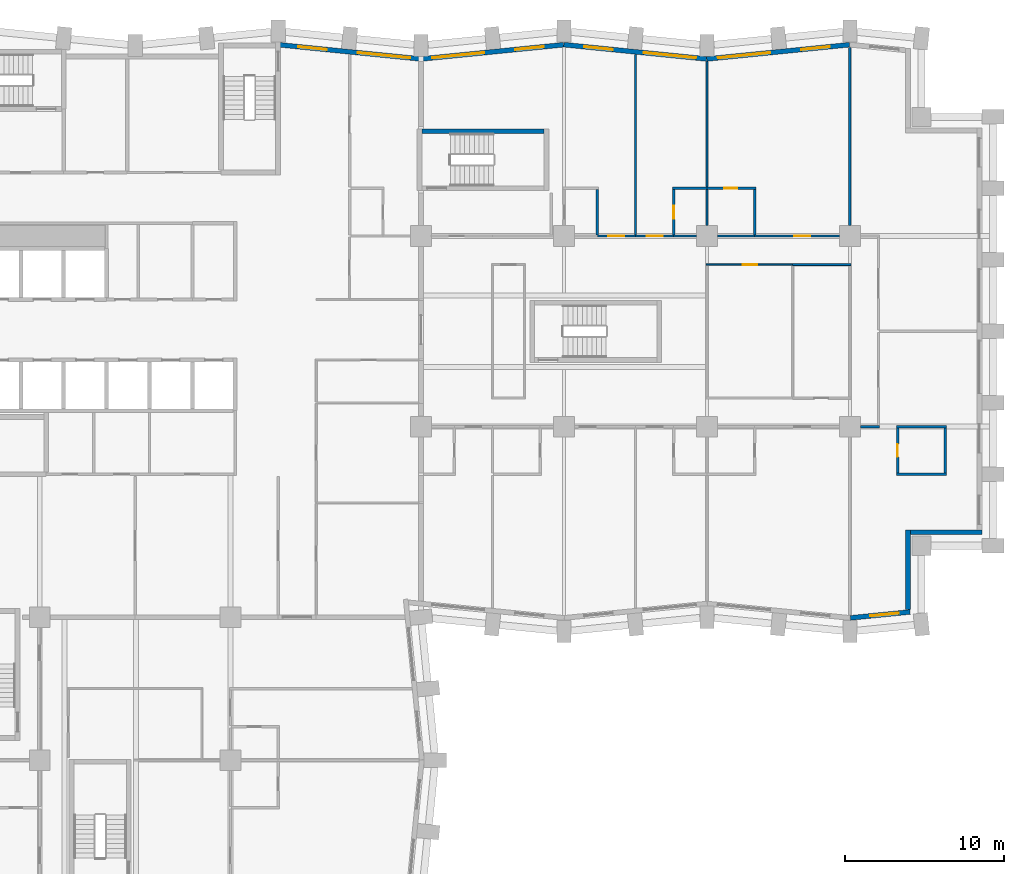
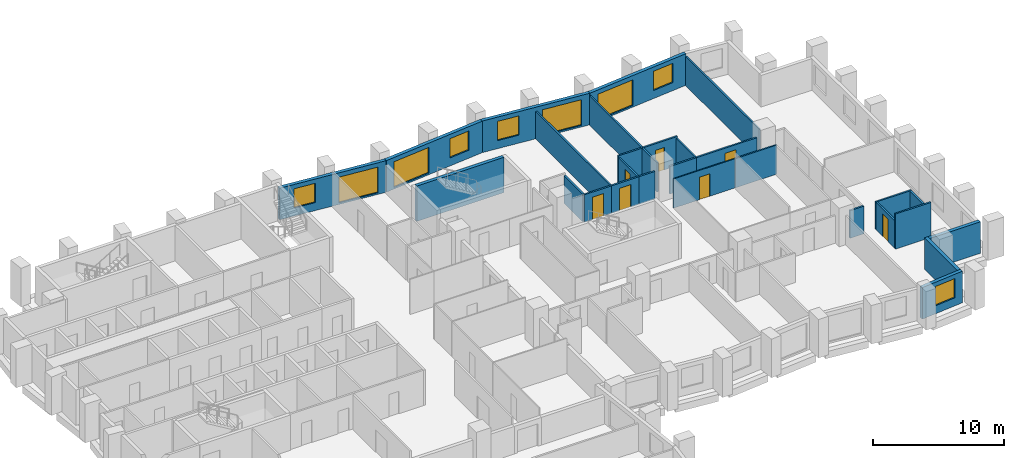
# One storey, part 9 of 13: 29 walls, 9 windows, 7 doors, 16 openings.
"""IFC4 building model written with IfcOpenShell, lengths in metres."""

from ifc_helpers import new_model, si_unit, direction, frame, frame_2d, origin, place, context, subcontext, project, spatial, rectangle, extrude, material, layer, layer_set, type_object, element, fill, save


model = new_model("IFC4")

# Units and contexts
model_context = context("Model", 3, precision=1e-05, world=origin(), true_north=direction((0.0, 1.0)))
body_context = subcontext(model_context, "Body", "Model", "MODEL_VIEW")
ifc_project = project(units=[si_unit("LENGTHUNIT", "METRE"), si_unit("AREAUNIT", "SQUARE_METRE"), si_unit("VOLUMEUNIT", "CUBIC_METRE"), si_unit("PLANEANGLEUNIT", "RADIAN"), si_unit("MASSUNIT", "GRAM", prefix="KILO")], contexts=[model_context])

# Site, building, storey
site_placement = place(None, origin())
site = spatial("IfcSite", under=ifc_project, at=site_placement, CompositionType="ELEMENT")
building_placement = place(site_placement, origin())
building = spatial("IfcBuilding", under=site, at=building_placement, Name="Brondeck Convention Tower", CompositionType="ELEMENT")
storey_placement = place(building_placement, frame((0.0, 0.0, 48.300048828125)))
storey = spatial("IfcBuildingStorey", under=building, at=storey_placement, Name="L09", CompositionType="ELEMENT", Elevation=48.300048828125)

# Wall, opening, window
ifc_material_1 = material(Name="Precast concrete C50/60 bronze finish", Category="concrete")
ifc_layer_1 = layer(ifc_material_1, 0.070068359375, Name="Bronze precast facing")
ifc_material_2 = material(Name="Mineral wool")
ifc_layer_2 = layer(ifc_material_2, 0.159912109375, Name="Insulation")
ifc_material_3 = material(Name="Concrete C35/45", Category="concrete")
ifc_layer_3 = layer(ifc_material_3, 0.070068359375, Name="Backing")
ifc_layer_set_1 = layer_set([ifc_layer_1, ifc_layer_2, ifc_layer_3], Name="External infill wall, precast concrete C50/60 bronze facing")
wall_type_1 = type_object("IfcWallType", Name="External infill wall, precast concrete C50/60 bronze facing", PredefinedType="SOLIDWALL", material=ifc_layer_set_1)
wall_1_placement = place(storey_placement, frame((66.78515625, 27.332763671875, 0.0), z_axis=(0.0, 0.0, 1.0), x_axis=(-0.995038471088, -0.099490909409, 0.0)))
wall_1 = element("IfcWall", 1, at=wall_1_placement, inside=storey, type_object=wall_type_1, Name="ENV-EW-L09-P0-A-S-06", PredefinedType="SOLIDWALL", context=body_context, shape_type="SweptSolid", body=[
    extrude(rectangle(XDim=3.774169921875, YDim=0.300048828125, at=frame_2d((1.88720703125, 0.0))), origin(), (0.0, 0.0, 1.0), 2.949951171875),
])
opening_1_placement = place(wall_1_placement, frame((0.727783203125, 0.0, 0.75)))
opening_1 = element("IfcOpeningElement", 2, at=opening_1_placement, cuts=wall_1, Name="Opening W10", PredefinedType="OPENING", context=body_context, shape_type="SweptSolid", body=[
    extrude(rectangle(XDim=1.800048828125, YDim=1.800048828125, at=frame_2d((0.89990234375, 0.89990234375))), frame((0.0, 0.159912109375, 0.0), z_axis=(0.0, -1.0, 0.0), x_axis=(1.0, 0.0, 0.0)), (0.0, 0.0, 1.0), 0.320068359375),
])
ifc_material_4 = material(Name="Bronze tinted double glazing", Category="glass")
window_type_1 = type_object("IfcWindowType", Name="Punched window, bronze tinted", PartitioningType="SINGLE_PANEL", PredefinedType="WINDOW", material=ifc_material_4)
window_1_placement = place(opening_1_placement, origin())
window_1 = element("IfcWindow", 3, at=window_1_placement, inside=storey, type_object=window_type_1, Name="ENV-WN-L09-P0-A-S-06", OverallHeight=1.800048828125, OverallWidth=1.800048828125, PartitioningType="SINGLE_PANEL", PredefinedType="WINDOW", context=body_context, shape_type="SweptSolid", body=[
    extrude(rectangle(XDim=1.800048828125, YDim=1.800048828125, at=frame_2d((0.89990234375, 0.89990234375))), frame((0.0, 0.030029296875, 0.0), z_axis=(0.0, -1.0, 0.0), x_axis=(1.0, 0.0, 0.0)), (0.0, 0.0, 1.0), 0.06005859375),
])
fill(opening_1, window_1)

# Walls
wall_2_placement = place(storey_placement, frame((66.64990234375, 32.5, 0.0), z_axis=(0.0, 0.0, 1.0), x_axis=(0.0, -1.0, 0.0)))
element("IfcWall", 4, at=wall_2_placement, inside=storey, type_object=wall_type_1, Name="ENV-EW-L09-P0-NC-SEA72-01", PredefinedType="SOLIDWALL", context=body_context, shape_type="SweptSolid", body=[
    extrude(rectangle(XDim=5.02880859375, YDim=0.300048828125, at=frame_2d((2.514404296875, 0.0))), origin(), (0.0, 0.0, 1.0), 2.949951171875),
])
wall_3_placement = place(storey_placement, frame((71.300048828125, 32.35009765625, 0.0), z_axis=(0.0, 0.0, 1.0), x_axis=(-1.0, 0.0, 0.0)))
element("IfcWall", 5, at=wall_3_placement, inside=storey, type_object=wall_type_1, Name="ENV-EW-L09-P0-NC-SEA72-02", PredefinedType="SOLIDWALL", context=body_context, shape_type="SweptSolid", body=[
    extrude(rectangle(XDim=4.5, YDim=0.300048828125, at=frame_2d((2.25, 0.0))), origin(), (0.0, 0.0, 1.0), 2.949951171875),
])

# Wall, openings, windows
wall_4_placement = place(storey_placement, frame((53.985107421875, 62.144287109375, 0.0), z_axis=(0.0, 0.0, 1.0), x_axis=(0.995037993253, 0.099495688264, 0.0)))
wall_4 = element("IfcWall", 6, at=wall_4_placement, inside=storey, type_object=wall_type_1, Name="ENV-EW-L09-P0-A-N-13", PredefinedType="SOLIDWALL", context=body_context, shape_type="SweptSolid", body=[
    extrude(rectangle(XDim=9.030029296875, YDim=0.300048828125, at=frame_2d((4.51513671875, 0.0))), origin(), (0.0, 0.0, 1.0), 2.949951171875),
])
opening_2_placement = place(wall_4_placement, frame((0.711181640625, 0.0, 0.14990234375)))
opening_2 = element("IfcOpeningElement", 7, at=opening_2_placement, cuts=wall_4, Name="Opening W9", PredefinedType="OPENING", context=body_context, shape_type="SweptSolid", body=[
    extrude(rectangle(XDim=3.300048828125, YDim=2.39990234375, at=frame_2d((1.64990234375, 1.199951171875))), frame((0.0, 0.159912109375, 0.0), z_axis=(0.0, -1.0, 0.0), x_axis=(1.0, 0.0, 0.0)), (0.0, 0.0, 1.0), 0.320068359375),
])
opening_3_placement = place(wall_4_placement, frame((5.983642578125, 0.0, 0.75)))
opening_3 = element("IfcOpeningElement", 8, at=opening_3_placement, cuts=wall_4, Name="Opening W10", PredefinedType="OPENING", context=body_context, shape_type="SweptSolid", body=[
    extrude(rectangle(XDim=1.800048828125, YDim=1.800048828125, at=frame_2d((0.89990234375, 0.89990234375))), frame((0.0, 0.159912109375, 0.0), z_axis=(0.0, -1.0, 0.0), x_axis=(1.0, 0.0, 0.0)), (0.0, 0.0, 1.0), 0.320068359375),
])
window_type_2 = type_object("IfcWindowType", Name="Glazed flute window, bronze tinted", PartitioningType="SINGLE_PANEL", PredefinedType="WINDOW", material=ifc_material_4)
window_2_placement = place(opening_2_placement, origin())
window_2 = element("IfcWindow", 9, at=window_2_placement, inside=storey, type_object=window_type_2, Name="ENV-WN-L09-P0-A-N-12", OverallHeight=2.39990234375, OverallWidth=3.300048828125, PartitioningType="SINGLE_PANEL", PredefinedType="WINDOW", context=body_context, shape_type="SweptSolid", body=[
    extrude(rectangle(XDim=3.300048828125, YDim=2.39990234375, at=frame_2d((1.64990234375, 1.199951171875))), frame((0.0, 0.030029296875, 0.0), z_axis=(0.0, -1.0, 0.0), x_axis=(1.0, 0.0, 0.0)), (0.0, 0.0, 1.0), 0.06005859375),
])
fill(opening_2, window_2)
window_3_placement = place(opening_3_placement, origin())
window_3 = element("IfcWindow", 10, at=window_3_placement, inside=storey, type_object=window_type_1, Name="ENV-WN-L09-P0-A-N-13", OverallHeight=1.800048828125, OverallWidth=1.800048828125, PartitioningType="SINGLE_PANEL", PredefinedType="WINDOW", context=body_context, shape_type="SweptSolid", body=[
    extrude(rectangle(XDim=1.800048828125, YDim=1.800048828125, at=frame_2d((0.89990234375, 0.89990234375))), frame((0.0, 0.030029296875, 0.0), z_axis=(0.0, -1.0, 0.0), x_axis=(1.0, 0.0, 0.0)), (0.0, 0.0, 1.0), 0.06005859375),
])
fill(opening_3, window_3)

wall_5_placement = place(storey_placement, frame((44.985107421875, 63.04736328125, 0.0), z_axis=(0.0, 0.0, 1.0), x_axis=(0.995035316196, -0.099522457379, 0.0)))
wall_5 = element("IfcWall", 11, at=wall_5_placement, inside=storey, type_object=wall_type_1, Name="ENV-EW-L09-P0-A-N-11", PredefinedType="SOLIDWALL", context=body_context, shape_type="SweptSolid", body=[
    extrude(rectangle(XDim=9.030029296875, YDim=0.300048828125, at=frame_2d((4.51513671875, 0.0))), origin(), (0.0, 0.0, 1.0), 2.949951171875),
])
opening_4_placement = place(wall_5_placement, frame((1.291259765625, 0.0, 0.75)))
opening_4 = element("IfcOpeningElement", 12, at=opening_4_placement, cuts=wall_5, Name="Opening W10", PredefinedType="OPENING", context=body_context, shape_type="SweptSolid", body=[
    extrude(rectangle(XDim=1.800048828125, YDim=1.800048828125, at=frame_2d((0.89990234375, 0.89990234375))), frame((0.0, 0.159912109375, 0.0), z_axis=(0.0, -1.0, 0.0), x_axis=(1.0, 0.0, 0.0)), (0.0, 0.0, 1.0), 0.320068359375),
])
opening_5_placement = place(wall_5_placement, frame((5.063720703125, 0.0, 0.14990234375)))
opening_5 = element("IfcOpeningElement", 13, at=opening_5_placement, cuts=wall_5, Name="Opening W9", PredefinedType="OPENING", context=body_context, shape_type="SweptSolid", body=[
    extrude(rectangle(XDim=3.300048828125, YDim=2.39990234375, at=frame_2d((1.64990234375, 1.199951171875))), frame((0.0, 0.159912109375, 0.0), z_axis=(0.0, -1.0, 0.0), x_axis=(1.0, 0.0, 0.0)), (0.0, 0.0, 1.0), 0.320068359375),
])
window_4_placement = place(opening_5_placement, origin())
window_4 = element("IfcWindow", 14, at=window_4_placement, inside=storey, type_object=window_type_2, Name="ENV-WN-L09-P0-A-N-11", OverallHeight=2.39990234375, OverallWidth=3.300048828125, PartitioningType="SINGLE_PANEL", PredefinedType="WINDOW", context=body_context, shape_type="SweptSolid", body=[
    extrude(rectangle(XDim=3.300048828125, YDim=2.39990234375, at=frame_2d((1.64990234375, 1.199951171875))), frame((0.0, 0.030029296875, 0.0), z_axis=(0.0, -1.0, 0.0), x_axis=(1.0, 0.0, 0.0)), (0.0, 0.0, 1.0), 0.06005859375),
])
fill(opening_5, window_4)
window_5_placement = place(opening_4_placement, origin())
window_5 = element("IfcWindow", 15, at=window_5_placement, inside=storey, type_object=window_type_1, Name="ENV-WN-L09-P0-A-N-10", OverallHeight=1.800048828125, OverallWidth=1.800048828125, PartitioningType="SINGLE_PANEL", PredefinedType="WINDOW", context=body_context, shape_type="SweptSolid", body=[
    extrude(rectangle(XDim=1.800048828125, YDim=1.800048828125, at=frame_2d((0.89990234375, 0.89990234375))), frame((0.0, 0.030029296875, 0.0), z_axis=(0.0, -1.0, 0.0), x_axis=(1.0, 0.0, 0.0)), (0.0, 0.0, 1.0), 0.06005859375),
])
fill(opening_4, window_5)

wall_6_placement = place(storey_placement, frame((35.985107421875, 62.144287109375, 0.0), z_axis=(0.0, 0.0, 1.0), x_axis=(0.995037993253, 0.099495688264, 0.0)))
wall_6 = element("IfcWall", 16, at=wall_6_placement, inside=storey, type_object=wall_type_1, Name="ENV-EW-L09-P0-A-N-09", PredefinedType="SOLIDWALL", context=body_context, shape_type="SweptSolid", body=[
    extrude(rectangle(XDim=9.030029296875, YDim=0.300048828125, at=frame_2d((4.51513671875, 0.0))), origin(), (0.0, 0.0, 1.0), 2.949951171875),
])
opening_6_placement = place(wall_6_placement, frame((0.711181640625, 0.0, 0.14990234375)))
opening_6 = element("IfcOpeningElement", 17, at=opening_6_placement, cuts=wall_6, Name="Opening W9", PredefinedType="OPENING", context=body_context, shape_type="SweptSolid", body=[
    extrude(rectangle(XDim=3.300048828125, YDim=2.39990234375, at=frame_2d((1.64990234375, 1.199951171875))), frame((0.0, 0.159912109375, 0.0), z_axis=(0.0, -1.0, 0.0), x_axis=(1.0, 0.0, 0.0)), (0.0, 0.0, 1.0), 0.320068359375),
])
opening_7_placement = place(wall_6_placement, frame((5.983642578125, 0.0, 0.75)))
opening_7 = element("IfcOpeningElement", 18, at=opening_7_placement, cuts=wall_6, Name="Opening W10", PredefinedType="OPENING", context=body_context, shape_type="SweptSolid", body=[
    extrude(rectangle(XDim=1.800048828125, YDim=1.800048828125, at=frame_2d((0.89990234375, 0.89990234375))), frame((0.0, 0.159912109375, 0.0), z_axis=(0.0, -1.0, 0.0), x_axis=(1.0, 0.0, 0.0)), (0.0, 0.0, 1.0), 0.320068359375),
])
window_6_placement = place(opening_6_placement, origin())
window_6 = element("IfcWindow", 19, at=window_6_placement, inside=storey, type_object=window_type_2, Name="ENV-WN-L09-P0-A-N-08", OverallHeight=2.39990234375, OverallWidth=3.300048828125, PartitioningType="SINGLE_PANEL", PredefinedType="WINDOW", context=body_context, shape_type="SweptSolid", body=[
    extrude(rectangle(XDim=3.300048828125, YDim=2.39990234375, at=frame_2d((1.64990234375, 1.199951171875))), frame((0.0, 0.030029296875, 0.0), z_axis=(0.0, -1.0, 0.0), x_axis=(1.0, 0.0, 0.0)), (0.0, 0.0, 1.0), 0.06005859375),
])
fill(opening_6, window_6)
window_7_placement = place(opening_7_placement, origin())
window_7 = element("IfcWindow", 20, at=window_7_placement, inside=storey, type_object=window_type_1, Name="ENV-WN-L09-P0-A-N-09", OverallHeight=1.800048828125, OverallWidth=1.800048828125, PartitioningType="SINGLE_PANEL", PredefinedType="WINDOW", context=body_context, shape_type="SweptSolid", body=[
    extrude(rectangle(XDim=1.800048828125, YDim=1.800048828125, at=frame_2d((0.89990234375, 0.89990234375))), frame((0.0, 0.030029296875, 0.0), z_axis=(0.0, -1.0, 0.0), x_axis=(1.0, 0.0, 0.0)), (0.0, 0.0, 1.0), 0.06005859375),
])
fill(opening_7, window_7)

wall_7_placement = place(storey_placement, frame((27.064697265625, 63.039306640625, 0.0), z_axis=(0.0, 0.0, 1.0), x_axis=(0.995036379926, -0.099511821531, 0.0)))
wall_7 = element("IfcWall", 21, at=wall_7_placement, inside=storey, type_object=wall_type_1, Name="ENV-EW-L09-P0-A-N-07", PredefinedType="SOLIDWALL", context=body_context, shape_type="SweptSolid", body=[
    extrude(rectangle(XDim=8.949951171875, YDim=0.300048828125, at=frame_2d((4.47509765625, 0.0))), origin(), (0.0, 0.0, 1.0), 2.949951171875),
])
opening_8_placement = place(wall_7_placement, frame((1.211181640625, 0.0, 0.75)))
opening_8 = element("IfcOpeningElement", 22, at=opening_8_placement, cuts=wall_7, Name="Opening W10", PredefinedType="OPENING", context=body_context, shape_type="SweptSolid", body=[
    extrude(rectangle(XDim=1.800048828125, YDim=1.800048828125, at=frame_2d((0.89990234375, 0.89990234375))), frame((0.0, 0.159912109375, 0.0), z_axis=(0.0, -1.0, 0.0), x_axis=(1.0, 0.0, 0.0)), (0.0, 0.0, 1.0), 0.320068359375),
])
opening_9_placement = place(wall_7_placement, frame((4.983642578125, 0.0, 0.14990234375)))
opening_9 = element("IfcOpeningElement", 23, at=opening_9_placement, cuts=wall_7, Name="Opening W9", PredefinedType="OPENING", context=body_context, shape_type="SweptSolid", body=[
    extrude(rectangle(XDim=3.300048828125, YDim=2.39990234375, at=frame_2d((1.64990234375, 1.199951171875))), frame((0.0, 0.159912109375, 0.0), z_axis=(0.0, -1.0, 0.0), x_axis=(1.0, 0.0, 0.0)), (0.0, 0.0, 1.0), 0.320068359375),
])
window_8_placement = place(opening_9_placement, origin())
window_8 = element("IfcWindow", 24, at=window_8_placement, inside=storey, type_object=window_type_2, Name="ENV-WN-L09-P0-A-N-07", OverallHeight=2.39990234375, OverallWidth=3.300048828125, PartitioningType="SINGLE_PANEL", PredefinedType="WINDOW", context=body_context, shape_type="SweptSolid", body=[
    extrude(rectangle(XDim=3.300048828125, YDim=2.39990234375, at=frame_2d((1.64990234375, 1.199951171875))), frame((0.0, 0.030029296875, 0.0), z_axis=(0.0, -1.0, 0.0), x_axis=(1.0, 0.0, 0.0)), (0.0, 0.0, 1.0), 0.06005859375),
])
fill(opening_9, window_8)
window_9_placement = place(opening_8_placement, origin())
window_9 = element("IfcWindow", 25, at=window_9_placement, inside=storey, type_object=window_type_1, Name="ENV-WN-L09-P0-A-N-06", OverallHeight=1.800048828125, OverallWidth=1.800048828125, PartitioningType="SINGLE_PANEL", PredefinedType="WINDOW", context=body_context, shape_type="SweptSolid", body=[
    extrude(rectangle(XDim=1.800048828125, YDim=1.800048828125, at=frame_2d((0.89990234375, 0.89990234375))), frame((0.0, 0.030029296875, 0.0), z_axis=(0.0, -1.0, 0.0), x_axis=(1.0, 0.0, 0.0)), (0.0, 0.0, 1.0), 0.06005859375),
])
fill(opening_8, window_9)

# Walls
ifc_material_5 = material(Name="Double gypsum board acoustic wall")
ifc_layer_4 = layer(ifc_material_5, 0.14990234375)
ifc_layer_set_2 = layer_set([ifc_layer_4], Name="Guest room party wall 150")
wall_type_2 = type_object("IfcWallType", Name="Guest room party wall 150", PredefinedType="PARTITIONING", material=ifc_layer_set_2)
wall_8_placement = place(storey_placement, frame((65.925048828125, 36.0, 0.0), z_axis=(0.0, 0.0, 1.0), x_axis=(1.0, 0.0, 0.0)))
element("IfcWall", 26, at=wall_8_placement, inside=storey, type_object=wall_type_2, Name="FLR-L09-W055", PredefinedType="PARTITIONING", context=body_context, shape_type="SweptSolid", body=[
    extrude(rectangle(XDim=3.14990234375, YDim=0.14990234375, at=frame_2d((1.574951171875, 0.0))), origin(), (0.0, 0.0, 1.0), 3.280029296875),
])
wall_9_placement = place(storey_placement, frame((69.0, 36.074951171875, 0.0), z_axis=(0.0, 0.0, 1.0), x_axis=(0.0, 1.0, 0.0)))
element("IfcWall", 27, at=wall_9_placement, inside=storey, type_object=wall_type_2, Name="FLR-L09-W059", PredefinedType="PARTITIONING", context=body_context, shape_type="SweptSolid", body=[
    extrude(rectangle(XDim=2.85009765625, YDim=0.14990234375, at=frame_2d((1.425048828125, 0.0))), origin(), (0.0, 0.0, 1.0), 2.579833984375),
])

# Wall, opening, door
wall_10_placement = place(storey_placement, frame((66.0, 38.925048828125, 0.0), z_axis=(0.0, 0.0, 1.0), x_axis=(0.0, -1.0, 0.0)))
wall_10 = element("IfcWall", 28, at=wall_10_placement, inside=storey, type_object=wall_type_2, Name="FLR-L09-W066", PredefinedType="PARTITIONING", context=body_context, shape_type="SweptSolid", body=[
    extrude(rectangle(XDim=2.85009765625, YDim=0.14990234375, at=frame_2d((1.425048828125, 0.0))), origin(), (0.0, 0.0, 1.0), 2.579833984375),
])
opening_10_placement = place(wall_10_placement, frame((1.02490234375, 0.0, 0.0)))
opening_10 = element("IfcOpeningElement", 29, at=opening_10_placement, cuts=wall_10, Name="Opening H2-021", PredefinedType="OPENING", context=body_context, shape_type="SweptSolid", body=[
    extrude(rectangle(XDim=0.800048828125, YDim=2.10009765625, at=frame_2d((0.39990234375, 1.050048828125))), frame((0.0, 0.0849609375, 0.0), z_axis=(0.0, -1.0, 0.0), x_axis=(1.0, 0.0, 0.0)), (0.0, 0.0, 1.0), 0.169921875),
])
ifc_material_6 = material(Name="Solid timber door leaf", Category="wood")
door_type_1 = type_object("IfcDoorType", Name="En-suite door 800", OperationType="NOTDEFINED", PredefinedType="DOOR", material=ifc_material_6)
door_1_placement = place(opening_10_placement, origin())
door_1 = element("IfcDoor", 30, at=door_1_placement, inside=storey, type_object=door_type_1, Name="Door H2-021", OperationType="SINGLE_SWING_RIGHT", OverallHeight=2.10009765625, OverallWidth=0.800048828125, PredefinedType="DOOR", context=body_context, shape_type="SweptSolid", body=[
    extrude(rectangle(XDim=0.800048828125, YDim=2.10009765625, at=frame_2d((0.39990234375, 1.050048828125))), frame((0.0, 0.02490234375, 0.0), z_axis=(0.0, -1.0, 0.0), x_axis=(1.0, 0.0, 0.0)), (0.0, 0.0, 1.0), 0.050048828125),
])
fill(opening_10, door_1)

# Walls
wall_11_placement = place(storey_placement, frame((64.875, 39.0, 0.0), z_axis=(0.0, 0.0, 1.0), x_axis=(-1.0, 0.0, 0.0)))
element("IfcWall", 31, at=wall_11_placement, inside=storey, type_object=wall_type_2, Name="FLR-L09-W076", PredefinedType="PARTITIONING", context=body_context, shape_type="SweptSolid", body=[
    extrude(rectangle(XDim=1.219970703125, YDim=0.14990234375, at=frame_2d((0.60986328125, 0.0))), origin(), (0.0, 0.0, 1.0), 2.579833984375),
])
wall_12_placement = place(storey_placement, frame((69.074951171875, 39.0, 0.0), z_axis=(0.0, 0.0, 1.0), x_axis=(-1.0, 0.0, 0.0)))
element("IfcWall", 32, at=wall_12_placement, inside=storey, type_object=wall_type_2, Name="FLR-L09-W077", PredefinedType="PARTITIONING", context=body_context, shape_type="SweptSolid", body=[
    extrude(rectangle(XDim=3.14990234375, YDim=0.14990234375, at=frame_2d((1.574951171875, 0.0))), origin(), (0.0, 0.0, 1.0), 2.579833984375),
])

# Wall, opening, door
wall_13_placement = place(storey_placement, frame((47.10009765625, 51.0, 0.0), z_axis=(0.0, 0.0, 1.0), x_axis=(1.0, 0.0, 0.0)))
wall_13 = element("IfcWall", 33, at=wall_13_placement, inside=storey, type_object=wall_type_2, Name="FLR-L09-W108", PredefinedType="PARTITIONING", context=body_context, shape_type="SweptSolid", body=[
    extrude(rectangle(XDim=2.39990234375, YDim=0.14990234375, at=frame_2d((1.199951171875, 0.0))), origin(), (0.0, 0.0, 1.0), 2.579833984375),
])
opening_11_placement = place(wall_13_placement, frame((0.699951171875, 0.0, 0.0)))
opening_11 = element("IfcOpeningElement", 34, at=opening_11_placement, cuts=wall_13, Name="Opening H2-002", PredefinedType="OPENING", context=body_context, shape_type="SweptSolid", body=[
    extrude(rectangle(XDim=1.0, YDim=2.10009765625, at=frame_2d((0.5, 1.050048828125))), frame((0.0, 0.0849609375, 0.0), z_axis=(0.0, -1.0, 0.0), x_axis=(1.0, 0.0, 0.0)), (0.0, 0.0, 1.0), 0.169921875),
])
ifc_material_7 = material(Name="Solid timber fire door leaf", Category="wood")
door_type_2 = type_object("IfcDoorType", Name="Guest room door 1000", OperationType="NOTDEFINED", PredefinedType="DOOR", material=ifc_material_7)
door_2_placement = place(opening_11_placement, origin())
door_2 = element("IfcDoor", 35, at=door_2_placement, inside=storey, type_object=door_type_2, Name="Door H2-002", OperationType="SINGLE_SWING_LEFT", OverallHeight=2.10009765625, OverallWidth=1.0, PredefinedType="DOOR", context=body_context, shape_type="SweptSolid", body=[
    extrude(rectangle(XDim=1.0, YDim=2.10009765625, at=frame_2d((0.5, 1.050048828125))), frame((0.0, 0.02490234375, 0.0), z_axis=(0.0, -1.0, 0.0), x_axis=(1.0, 0.0, 0.0)), (0.0, 0.0, 1.0), 0.050048828125),
])
fill(opening_11, door_2)

wall_14_placement = place(storey_placement, frame((49.5, 51.0, 0.0), z_axis=(0.0, 0.0, 1.0), x_axis=(1.0, 0.0, 0.0)))
wall_14 = element("IfcWall", 36, at=wall_14_placement, inside=storey, type_object=wall_type_2, Name="FLR-L09-W109", PredefinedType="PARTITIONING", context=body_context, shape_type="SweptSolid", body=[
    extrude(rectangle(XDim=2.39990234375, YDim=0.14990234375, at=frame_2d((1.199951171875, 0.0))), origin(), (0.0, 0.0, 1.0), 2.579833984375),
])
opening_12_placement = place(wall_14_placement, frame((0.699951171875, 0.0, 0.0)))
opening_12 = element("IfcOpeningElement", 37, at=opening_12_placement, cuts=wall_14, Name="Opening H2-004", PredefinedType="OPENING", context=body_context, shape_type="SweptSolid", body=[
    extrude(rectangle(XDim=1.0, YDim=2.10009765625, at=frame_2d((0.5, 1.050048828125))), frame((0.0, 0.0849609375, 0.0), z_axis=(0.0, -1.0, 0.0), x_axis=(1.0, 0.0, 0.0)), (0.0, 0.0, 1.0), 0.169921875),
])
door_3_placement = place(opening_12_placement, origin())
door_3 = element("IfcDoor", 38, at=door_3_placement, inside=storey, type_object=door_type_2, Name="Door H2-004", OperationType="SINGLE_SWING_LEFT", OverallHeight=2.10009765625, OverallWidth=1.0, PredefinedType="DOOR", context=body_context, shape_type="SweptSolid", body=[
    extrude(rectangle(XDim=1.0, YDim=2.10009765625, at=frame_2d((0.5, 1.050048828125))), frame((0.0, 0.02490234375, 0.0), z_axis=(0.0, -1.0, 0.0), x_axis=(1.0, 0.0, 0.0)), (0.0, 0.0, 1.0), 0.050048828125),
])
fill(opening_12, door_3)

# Walls
wall_15_placement = place(storey_placement, frame((51.89990234375, 51.0, 0.0), z_axis=(0.0, 0.0, 1.0), x_axis=(1.0, 0.0, 0.0)))
element("IfcWall", 39, at=wall_15_placement, inside=storey, type_object=wall_type_2, Name="FLR-L09-W110", PredefinedType="PARTITIONING", context=body_context, shape_type="SweptSolid", body=[
    extrude(rectangle(XDim=1.445068359375, YDim=0.14990234375, at=frame_2d((0.72265625, 0.0))), origin(), (0.0, 0.0, 1.0), 2.579833984375),
])
wall_16_placement = place(storey_placement, frame((54.655029296875, 51.0, 0.0), z_axis=(0.0, 0.0, 1.0), x_axis=(1.0, 0.0, 0.0)))
element("IfcWall", 40, at=wall_16_placement, inside=storey, type_object=wall_type_2, Name="FLR-L09-W111", PredefinedType="PARTITIONING", context=body_context, shape_type="SweptSolid", body=[
    extrude(rectangle(XDim=2.344970703125, YDim=0.14990234375, at=frame_2d((1.17236328125, 0.0))), origin(), (0.0, 0.0, 1.0), 2.579833984375),
])

# Wall, opening, door
wall_17_placement = place(storey_placement, frame((57.0, 51.0, 0.0), z_axis=(0.0, 0.0, 1.0), x_axis=(1.0, 0.0, 0.0)))
wall_17 = element("IfcWall", 41, at=wall_17_placement, inside=storey, type_object=wall_type_2, Name="FLR-L09-W112", PredefinedType="PARTITIONING", context=body_context, shape_type="SweptSolid", body=[
    extrude(rectangle(XDim=5.344970703125, YDim=0.14990234375, at=frame_2d((2.67236328125, 0.0))), origin(), (0.0, 0.0, 1.0), 2.579833984375),
])
opening_13_placement = place(wall_17_placement, frame((2.5, 0.0, 0.0)))
opening_13 = element("IfcOpeningElement", 42, at=opening_13_placement, cuts=wall_17, Name="Opening H2-006", PredefinedType="OPENING", context=body_context, shape_type="SweptSolid", body=[
    extrude(rectangle(XDim=1.0, YDim=2.10009765625, at=frame_2d((0.5, 1.050048828125))), frame((0.0, 0.0849609375, 0.0), z_axis=(0.0, -1.0, 0.0), x_axis=(1.0, 0.0, 0.0)), (0.0, 0.0, 1.0), 0.169921875),
])
door_4_placement = place(opening_13_placement, origin())
door_4 = element("IfcDoor", 43, at=door_4_placement, inside=storey, type_object=door_type_2, Name="Door H2-006", OperationType="SINGLE_SWING_RIGHT", OverallHeight=2.10009765625, OverallWidth=1.0, PredefinedType="DOOR", context=body_context, shape_type="SweptSolid", body=[
    extrude(rectangle(XDim=1.0, YDim=2.10009765625, at=frame_2d((0.5, 1.050048828125))), frame((0.0, 0.02490234375, 0.0), z_axis=(0.0, -1.0, 0.0), x_axis=(1.0, 0.0, 0.0)), (0.0, 0.0, 1.0), 0.050048828125),
])
fill(opening_13, door_4)

# Walls
for number, where, z_axis, x_axis, name in (
    (44, (47.10009765625, 51.074951171875, 0.0), (0.0, 0.0, 1.0), (0.0, 1.0, 0.0), "FLR-L09-W115"),
    (45, (57.0, 51.074951171875, 0.0), (0.0, 0.0, 1.0), (0.0, 1.0, 0.0), "FLR-L09-W116"),
):
    element("IfcWall", number, at=place(storey_placement, frame(where, z_axis=z_axis, x_axis=x_axis)), inside=storey, type_object=wall_type_2, Name=name, PredefinedType="PARTITIONING", context=body_context, shape_type="SweptSolid", body=[
        extrude(rectangle(XDim=2.85009765625, YDim=0.14990234375, at=frame_2d((1.425048828125, 0.0))), origin(), (0.0, 0.0, 1.0), 2.579833984375),
    ])

# Wall, opening, door
wall_18_placement = place(storey_placement, frame((51.89990234375, 53.925048828125, 0.0), z_axis=(0.0, 0.0, 1.0), x_axis=(0.0, -1.0, 0.0)))
wall_18 = element("IfcWall", 46, at=wall_18_placement, inside=storey, type_object=wall_type_2, Name="FLR-L09-W121", PredefinedType="PARTITIONING", context=body_context, shape_type="SweptSolid", body=[
    extrude(rectangle(XDim=2.85009765625, YDim=0.14990234375, at=frame_2d((1.425048828125, 0.0))), origin(), (0.0, 0.0, 1.0), 2.579833984375),
])
opening_14_placement = place(wall_18_placement, frame((1.02490234375, 0.0, 0.0)))
opening_14 = element("IfcOpeningElement", 47, at=opening_14_placement, cuts=wall_18, Name="Opening H2-005", PredefinedType="OPENING", context=body_context, shape_type="SweptSolid", body=[
    extrude(rectangle(XDim=0.800048828125, YDim=2.10009765625, at=frame_2d((0.39990234375, 1.050048828125))), frame((0.0, 0.0849609375, 0.0), z_axis=(0.0, -1.0, 0.0), x_axis=(1.0, 0.0, 0.0)), (0.0, 0.0, 1.0), 0.169921875),
])
door_5_placement = place(opening_14_placement, origin())
door_5 = element("IfcDoor", 48, at=door_5_placement, inside=storey, type_object=door_type_1, Name="Door H2-005", OperationType="SINGLE_SWING_LEFT", OverallHeight=2.10009765625, OverallWidth=0.800048828125, PredefinedType="DOOR", context=body_context, shape_type="SweptSolid", body=[
    extrude(rectangle(XDim=0.800048828125, YDim=2.10009765625, at=frame_2d((0.39990234375, 1.050048828125))), frame((0.0, 0.02490234375, 0.0), z_axis=(0.0, -1.0, 0.0), x_axis=(1.0, 0.0, 0.0)), (0.0, 0.0, 1.0), 0.050048828125),
])
fill(opening_14, door_5)

# Walls
wall_19_placement = place(storey_placement, frame((54.0, 53.925048828125, 0.0), z_axis=(0.0, 0.0, 1.0), x_axis=(0.0, -1.0, 0.0)))
element("IfcWall", 49, at=wall_19_placement, inside=storey, type_object=wall_type_2, Name="FLR-L09-W122", PredefinedType="PARTITIONING", context=body_context, shape_type="SweptSolid", body=[
    extrude(rectangle(XDim=2.27001953125, YDim=0.14990234375, at=frame_2d((1.135009765625, 0.0))), origin(), (0.0, 0.0, 1.0), 2.72998046875),
])
wall_20_placement = place(storey_placement, frame((54.0, 54.0, 0.0), z_axis=(0.0, 0.0, 1.0), x_axis=(-1.0, 0.0, 0.0)))
element("IfcWall", 50, at=wall_20_placement, inside=storey, type_object=wall_type_2, Name="FLR-L09-W125", PredefinedType="PARTITIONING", context=body_context, shape_type="SweptSolid", body=[
    extrude(rectangle(XDim=2.175048828125, YDim=0.14990234375, at=frame_2d((1.08740234375, 0.0))), origin(), (0.0, 0.0, 1.0), 2.72998046875),
])

# Wall, opening, door
wall_21_placement = place(storey_placement, frame((57.074951171875, 54.0, 0.0), z_axis=(0.0, 0.0, 1.0), x_axis=(-1.0, 0.0, 0.0)))
wall_21 = element("IfcWall", 51, at=wall_21_placement, inside=storey, type_object=wall_type_2, Name="FLR-L09-W126", PredefinedType="PARTITIONING", context=body_context, shape_type="SweptSolid", body=[
    extrude(rectangle(XDim=3.074951171875, YDim=0.14990234375, at=frame_2d((1.53759765625, 0.0))), origin(), (0.0, 0.0, 1.0), 2.72998046875),
])
opening_15_placement = place(wall_21_placement, frame((1.175048828125, 0.0, 0.0)))
opening_15 = element("IfcOpeningElement", 52, at=opening_15_placement, cuts=wall_21, Name="Opening H2-007", PredefinedType="OPENING", context=body_context, shape_type="SweptSolid", body=[
    extrude(rectangle(XDim=0.800048828125, YDim=2.10009765625, at=frame_2d((0.39990234375, 1.050048828125))), frame((0.0, 0.0849609375, 0.0), z_axis=(0.0, -1.0, 0.0), x_axis=(1.0, 0.0, 0.0)), (0.0, 0.0, 1.0), 0.169921875),
])
door_6_placement = place(opening_15_placement, origin())
door_6 = element("IfcDoor", 53, at=door_6_placement, inside=storey, type_object=door_type_1, Name="Door H2-007", OperationType="SINGLE_SWING_RIGHT", OverallHeight=2.10009765625, OverallWidth=0.800048828125, PredefinedType="DOOR", context=body_context, shape_type="SweptSolid", body=[
    extrude(rectangle(XDim=0.800048828125, YDim=2.10009765625, at=frame_2d((0.39990234375, 1.050048828125))), frame((0.0, 0.02490234375, 0.0), z_axis=(0.0, -1.0, 0.0), x_axis=(1.0, 0.0, 0.0)), (0.0, 0.0, 1.0), 0.050048828125),
])
fill(opening_15, door_6)

# Walls
wall_22_placement = place(storey_placement, frame((54.0, 61.97509765625, 0.0), z_axis=(0.0, 0.0, 1.0), x_axis=(0.0, -1.0, 0.0)))
element("IfcWall", 54, at=wall_22_placement, inside=storey, type_object=wall_type_2, Name="FLR-L09-W128", PredefinedType="PARTITIONING", context=body_context, shape_type="SweptSolid", body=[
    extrude(rectangle(XDim=7.900146484375, YDim=0.14990234375, at=frame_2d((3.9501953125, 0.0))), origin(), (0.0, 0.0, 1.0), 2.72998046875),
])
wall_23_placement = place(storey_placement, frame((49.5, 62.425048828125, 0.0), z_axis=(0.0, 0.0, 1.0), x_axis=(0.0, -1.0, 0.0)))
element("IfcWall", 55, at=wall_23_placement, inside=storey, type_object=wall_type_2, Name="FLR-L09-W130", PredefinedType="PARTITIONING", context=body_context, shape_type="SweptSolid", body=[
    extrude(rectangle(XDim=11.35009765625, YDim=0.14990234375, at=frame_2d((5.675048828125, 0.0))), origin(), (0.0, 0.0, 1.0), 2.579833984375),
])
wall_24_placement = place(storey_placement, frame((63.0, 62.875, 0.0), z_axis=(0.0, 0.0, 1.0), x_axis=(0.0, -1.0, 0.0)))
element("IfcWall", 56, at=wall_24_placement, inside=storey, type_object=wall_type_2, Name="FLR-L09-W131", PredefinedType="PARTITIONING", context=body_context, shape_type="SweptSolid", body=[
    extrude(rectangle(XDim=11.219970703125, YDim=0.14990234375, at=frame_2d((5.60986328125, 0.0))), origin(), (0.0, 0.0, 1.0), 2.72998046875),
])
ifc_material_8 = material(Name="Gypsum board shaft wall on steel studs", Category="steel")
ifc_layer_5 = layer(ifc_material_8, 0.125)
ifc_layer_set_3 = layer_set([ifc_layer_5], Name="Riser wall 125")
wall_type_3 = type_object("IfcWallType", Name="Riser wall 125", PredefinedType="PARTITIONING", material=ifc_layer_set_3)
wall_25_placement = place(storey_placement, frame((63.0625, 49.199951171875, 0.0), z_axis=(0.0, 0.0, 1.0), x_axis=(-1.0, 0.0, 0.0)))
element("IfcWall", 57, at=wall_25_placement, inside=storey, type_object=wall_type_3, Name="FLR-L09-W099", PredefinedType="PARTITIONING", context=body_context, shape_type="SweptSolid", body=[
    extrude(rectangle(XDim=3.66259765625, YDim=0.125, at=frame_2d((1.831298828125, 0.0))), origin(), (0.0, 0.0, 1.0), 2.72998046875),
])

# Wall, opening, door
ifc_material_9 = material(Name="Gypsum board partition on steel studs", Category="steel")
ifc_layer_6 = layer(ifc_material_9, 0.10009765625)
ifc_layer_set_4 = layer_set([ifc_layer_6], Name="Room partition 100")
wall_type_4 = type_object("IfcWallType", Name="Room partition 100", PredefinedType="PARTITIONING", material=ifc_layer_set_4)
wall_26_placement = place(storey_placement, frame((59.39990234375, 49.199951171875, 0.0), z_axis=(0.0, 0.0, 1.0), x_axis=(-1.0, 0.0, 0.0)))
wall_26 = element("IfcWall", 58, at=wall_26_placement, inside=storey, type_object=wall_type_4, Name="FLR-L09-W098", PredefinedType="PARTITIONING", context=body_context, shape_type="SweptSolid", body=[
    extrude(rectangle(XDim=5.449951171875, YDim=0.10009765625, at=frame_2d((2.72509765625, 0.0))), origin(), (0.0, 0.0, 1.0), 2.72998046875),
])
opening_16_placement = place(wall_26_placement, frame((2.25, 0.0, 0.0)))
opening_16 = element("IfcOpeningElement", 59, at=opening_16_placement, cuts=wall_26, Name="Opening H2-017", PredefinedType="OPENING", context=body_context, shape_type="SweptSolid", body=[
    extrude(rectangle(XDim=0.89990234375, YDim=2.10009765625, at=frame_2d((0.449951171875, 1.050048828125))), frame((0.0, 0.06005859375, 0.0), z_axis=(0.0, -1.0, 0.0), x_axis=(1.0, 0.0, 0.0)), (0.0, 0.0, 1.0), 0.1201171875),
])
door_type_3 = type_object("IfcDoorType", Name="Single door 900", OperationType="NOTDEFINED", PredefinedType="DOOR", material=ifc_material_6)
door_7_placement = place(opening_16_placement, origin())
door_7 = element("IfcDoor", 60, at=door_7_placement, inside=storey, type_object=door_type_3, Name="Door H2-017", OperationType="SINGLE_SWING_LEFT", OverallHeight=2.10009765625, OverallWidth=0.89990234375, PredefinedType="DOOR", context=body_context, shape_type="SweptSolid", body=[
    extrude(rectangle(XDim=0.89990234375, YDim=2.10009765625, at=frame_2d((0.449951171875, 1.050048828125))), frame((0.0, 0.02490234375, 0.0), z_axis=(0.0, -1.0, 0.0), x_axis=(1.0, 0.0, 0.0)), (0.0, 0.0, 1.0), 0.050048828125),
])
fill(opening_16, door_7)

# Wall
ifc_material_10 = material(Name="Concrete C80/95", Category="concrete")
ifc_layer_7 = layer(ifc_material_10, 0.300048828125)
ifc_layer_set_5 = layer_set([ifc_layer_7], Name="Stair enclosure wall 300 Concrete C80/95")
wall_type_5 = type_object("IfcWallType", Name="Stair enclosure wall 300 Concrete C80/95", PredefinedType="SHEAR", material=ifc_layer_set_5)
wall_27_placement = place(storey_placement, frame((36.050048828125, 57.60009765625, 0.0), z_axis=(0.0, 0.0, 1.0), x_axis=(1.0, 0.0, 0.0)))
element("IfcWall", 61, at=wall_27_placement, inside=storey, type_object=wall_type_5, Name="L09 core wall", PredefinedType="SHEAR", context=body_context, shape_type="SweptSolid", body=[
    extrude(rectangle(XDim=7.699951171875, YDim=0.300048828125, at=frame_2d((3.85009765625, 0.0))), origin(), (0.0, 0.0, 1.0), 3.300048828125),
])

save(model, "model.ifc")
